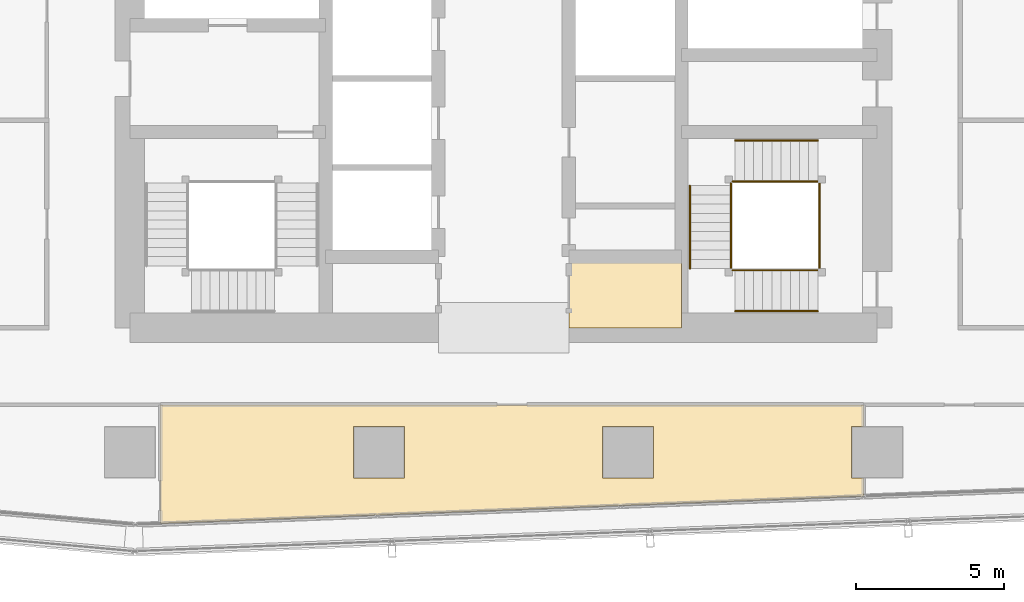
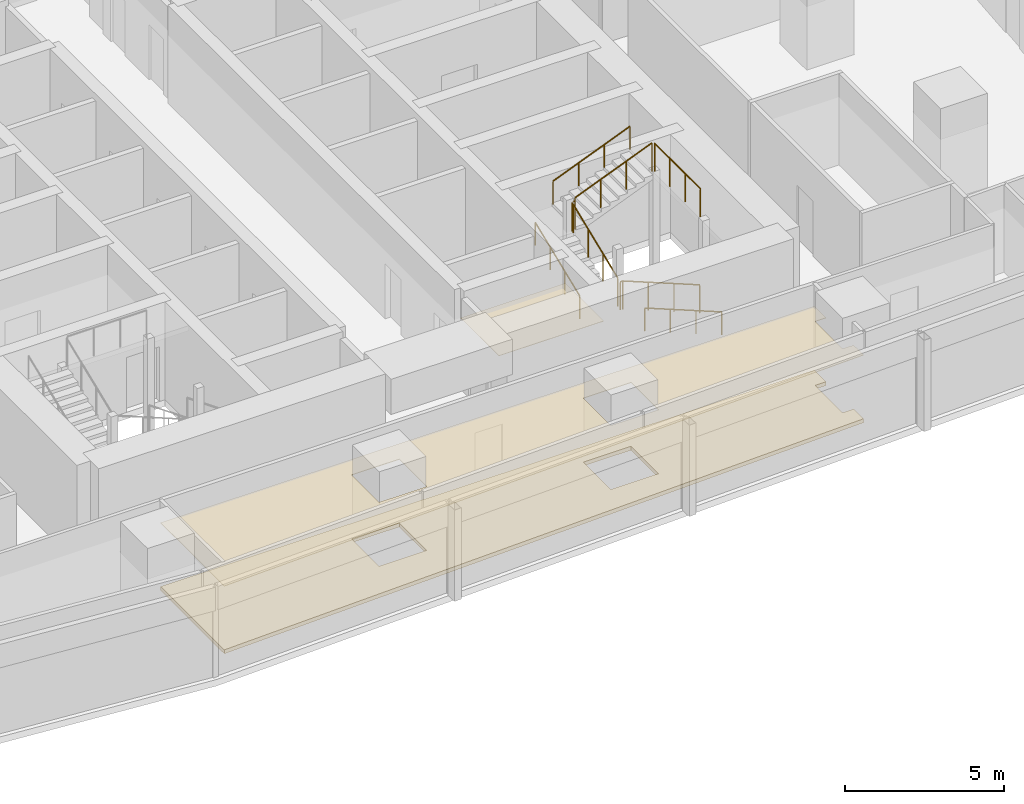
# One storey, part 37 of 40: 10 railings, 3 coverings.
"""IFC4 building model written with IfcOpenShell, lengths in metres."""

from ifc_helpers import new_model, si_unit, direction, frame, origin, origin_2d, place, context, subcontext, project, spatial, polyline, circle, outline, extrude, material, layer, layer_set, type_object, element, save


model = new_model("IFC4")

# Units and contexts
model_context = context("Model", 3, precision=1e-05, world=origin(), true_north=direction((0.0, 1.0)))
body_context = subcontext(model_context, "Body", "Model", "MODEL_VIEW")
ifc_project = project(units=[si_unit("LENGTHUNIT", "METRE"), si_unit("AREAUNIT", "SQUARE_METRE"), si_unit("VOLUMEUNIT", "CUBIC_METRE"), si_unit("PLANEANGLEUNIT", "RADIAN"), si_unit("MASSUNIT", "GRAM", prefix="KILO")], contexts=[model_context])

# Site, building, storey
site_placement = place(None, origin())
site = spatial("IfcSite", under=ifc_project, at=site_placement, CompositionType="ELEMENT")
building_placement = place(site_placement, origin())
building = spatial("IfcBuilding", under=site, at=building_placement, Name="Rekha Terrace Tower", CompositionType="ELEMENT")
storey_placement = place(building_placement, frame((0.0, 0.0, 106.550048828125)))
storey = spatial("IfcBuildingStorey", under=building, at=storey_placement, Name="L26", CompositionType="ELEMENT", Elevation=106.550048828125)

# Coverings
ifc_material_1 = material(Name="Mineral fibre tile in exposed grid", Category="finish")
ifc_layer_1 = layer(ifc_material_1, 0.02001953125)
ifc_layer_set_1 = layer_set([ifc_layer_1], Name="Mineral fibre tile in exposed grid")
covering_type_1 = type_object("IfcCoveringType", Name="CL1 600x1200 office grid ceiling", PredefinedType="CEILING", material=ifc_layer_set_1)
covering_1_placement = place(storey_placement, frame((0.0, 0.0, 2.579833984375)))
element("IfcCovering", 1, at=covering_1_placement, inside=storey, type_object=covering_type_1, Name="Ceiling L26-O3", PredefinedType="CEILING", context=body_context, shape_type="SweptSolid", body=[
    extrude(outline(polyline([(49.93603515625, 18.39990234375), (26.23388671875, 18.39990234375), (26.23388671875, 14.39697265625), (49.93603515625, 15.319091796875), (49.93603515625, 15.93505859375), (49.534912109375, 15.93505859375), (49.534912109375, 17.6650390625), (49.93603515625, 17.6650390625), (49.93603515625, 18.39990234375)]), holes=[polyline([(42.864990234375, 17.6650390625), (42.864990234375, 15.93505859375), (41.135009765625, 15.93505859375), (41.135009765625, 17.6650390625), (42.864990234375, 17.6650390625)]), polyline([(34.465087890625, 15.93505859375), (32.735107421875, 15.93505859375), (32.735107421875, 17.6650390625), (34.465087890625, 17.6650390625), (34.465087890625, 15.93505859375)])]), origin(), (0.0, 0.0, 1.0), 0.02001953125),
])
ifc_material_2 = material(Name="Fibre cement board", Category="finish")
ifc_layer_2 = layer(ifc_material_2, 0.014892578125)
ifc_layer_set_2 = layer_set([ifc_layer_2], Name="Fibre cement board")
covering_type_2 = type_object("IfcCoveringType", Name="CL2 moisture-resistant board ceiling", PredefinedType="CEILING", material=ifc_layer_set_2)
covering_2_placement = place(storey_placement, frame((0.0, 0.0, 2.5849609375)))
element("IfcCovering", 2, at=covering_2_placement, inside=storey, type_object=covering_type_2, Name="Ceiling L26-WCA", PredefinedType="CEILING", context=body_context, shape_type="SweptSolid", body=[
    extrude(outline(polyline([(43.800048828125, 23.39990234375), (40.0, 23.39990234375), (40.0, 21.0), (43.800048828125, 21.0), (43.800048828125, 23.39990234375)])), origin(), (0.0, 0.0, 1.0), 0.014892578125),
])

# Railings
ifc_material_3 = material(Name="Stainless steel balustrade", Category="steel")
railing_type_1 = type_object("IfcRailingType", Name="GR1 1100 stair guard", PredefinedType="GUARDRAIL", material=ifc_material_3)
railing_1_placement = place(storey_placement, frame((48.39990234375, 22.93994140625, 0.125)))
element("IfcRailing", 3, at=railing_1_placement, inside=storey, type_object=railing_type_1, Name="Guard ST3 L26 flight 1", PredefinedType="GUARDRAIL", context=body_context, shape_type="SweptSolid", body=[
    extrude(circle(Radius=0.02392578125, at=origin_2d()), frame((0.0, 0.0, 1.076171875), z_axis=(-0.927431937212, 0.0, 0.373991980981), x_axis=(0.0, -1.0, 0.0)), (0.0, 0.0, 1.0), 3.008056640625),
    extrude(circle(Radius=0.02099609375, at=origin_2d()), origin(), (0.0, 0.0, 1.0), 1.052001953125),
    extrude(circle(Radius=0.02099609375, at=origin_2d()), frame((-0.929931640625, 0.0, 0.375)), (0.0, 0.0, 1.0), 1.052001953125),
    extrude(circle(Radius=0.02099609375, at=origin_2d()), frame((-1.85986328125, 0.0, 0.75)), (0.0, 0.0, 1.0), 1.052001953125),
    extrude(circle(Radius=0.02099609375, at=origin_2d()), frame((-2.789794921875, 0.0, 1.125)), (0.0, 0.0, 1.0), 1.052001953125),
])
railing_2_placement = place(storey_placement, frame((45.465087890625, 23.0, 1.375)))
element("IfcRailing", 4, at=railing_2_placement, inside=storey, type_object=railing_type_1, Name="Guard ST3 L26 flight 2", PredefinedType="GUARDRAIL", context=body_context, shape_type="SweptSolid", body=[
    extrude(circle(Radius=0.02392578125, at=origin_2d()), frame((0.0, 0.0, 1.076171875), z_axis=(0.0, 0.927443287984, 0.373963831907), x_axis=(-1.0, 0.0, 0.0)), (0.0, 0.0, 1.0), 3.00830078125),
    extrude(circle(Radius=0.02099609375, at=origin_2d()), origin(), (0.0, 0.0, 1.0), 1.052001953125),
    extrude(circle(Radius=0.02099609375, at=origin_2d()), frame((0.0, 0.929931640625, 0.375)), (0.0, 0.0, 1.0), 1.052001953125),
    extrude(circle(Radius=0.02099609375, at=origin_2d()), frame((0.0, 1.860107421875, 0.75)), (0.0, 0.0, 1.0), 1.052001953125),
    extrude(circle(Radius=0.02099609375, at=origin_2d()), frame((0.0, 2.7900390625, 1.125)), (0.0, 0.0, 1.0), 1.052001953125),
])
railing_3_placement = place(storey_placement, frame((45.610107421875, 25.93505859375, 2.625)))
element("IfcRailing", 5, at=railing_3_placement, inside=storey, type_object=railing_type_1, Name="Guard ST3 L26 flight 3", PredefinedType="GUARDRAIL", context=body_context, shape_type="SweptSolid", body=[
    extrude(circle(Radius=0.02392578125, at=origin_2d()), frame((0.0, 0.0, 1.076171875), z_axis=(0.927431937212, 0.0, 0.373991980981), x_axis=(0.0, 1.0, 0.0)), (0.0, 0.0, 1.0), 3.008056640625),
    extrude(circle(Radius=0.02099609375, at=origin_2d()), origin(), (0.0, 0.0, 1.0), 1.052001953125),
    extrude(circle(Radius=0.02099609375, at=origin_2d()), frame((0.929931640625, 0.0, 0.375)), (0.0, 0.0, 1.0), 1.052001953125),
    extrude(circle(Radius=0.02099609375, at=origin_2d()), frame((1.85986328125, 0.0, 0.75)), (0.0, 0.0, 1.0), 1.052001953125),
    extrude(circle(Radius=0.02099609375, at=origin_2d()), frame((2.789794921875, 0.0, 1.125)), (0.0, 0.0, 1.0), 1.052001953125),
])
railing_4_placement = place(storey_placement, frame((45.610107421875, 22.93994140625, 1.25)))
element("IfcRailing", 6, at=railing_4_placement, inside=storey, type_object=railing_type_1, Name="Guard ST3 L26 landing 1", PredefinedType="GUARDRAIL", context=body_context, shape_type="SweptSolid", body=[
    extrude(circle(Radius=0.02392578125, at=origin_2d()), frame((0.0, 0.0, 1.076171875), z_axis=(-1.0, 0.0, 0.0), x_axis=(0.0, -1.0, 0.0)), (0.0, 0.0, 1.0), 0.085205078125),
    extrude(circle(Radius=0.02099609375, at=origin_2d()), origin(), (0.0, 0.0, 1.0), 1.052001953125),
    extrude(circle(Radius=0.02099609375, at=origin_2d()), frame((-0.085205078125, 0.0, 0.0)), (0.0, 0.0, 1.0), 1.052001953125),
])
railing_5_placement = place(storey_placement, frame((45.465087890625, 25.7900390625, 2.5)))
element("IfcRailing", 7, at=railing_5_placement, inside=storey, type_object=railing_type_1, Name="Guard ST3 L26 landing 2", PredefinedType="GUARDRAIL", context=body_context, shape_type="SweptSolid", body=[
    extrude(circle(Radius=0.02392578125, at=origin_2d()), frame((0.0, 0.0, 1.076171875), z_axis=(0.0, 1.0, 0.0), x_axis=(-1.0, 0.0, 0.0)), (0.0, 0.0, 1.0), 0.0849609375),
    extrude(circle(Radius=0.02099609375, at=origin_2d()), origin(), (0.0, 0.0, 1.0), 1.052001953125),
    extrude(circle(Radius=0.02099609375, at=origin_2d()), frame((0.0, 0.0849609375, 0.0)), (0.0, 0.0, 1.0), 1.052001953125),
])
railing_6_placement = place(storey_placement, frame((45.610107421875, 25.93505859375, 2.5)))
element("IfcRailing", 8, at=railing_6_placement, inside=storey, type_object=railing_type_1, Name="Guard ST3 L26 landing 3", PredefinedType="GUARDRAIL", context=body_context, shape_type="SweptSolid", body=[
    extrude(circle(Radius=0.02392578125, at=origin_2d()), frame((0.0, 0.0, 1.076171875), z_axis=(-1.0, 0.0, 0.0), x_axis=(0.0, -1.0, 0.0)), (0.0, 0.0, 1.0), 0.085205078125),
    extrude(circle(Radius=0.02099609375, at=origin_2d()), origin(), (0.0, 0.0, 1.0), 1.052001953125),
    extrude(circle(Radius=0.02099609375, at=origin_2d()), frame((-0.085205078125, 0.0, 0.0)), (0.0, 0.0, 1.0), 1.052001953125),
])
railing_7_placement = place(storey_placement, frame((48.4599609375, 23.0, 3.75)))
element("IfcRailing", 9, at=railing_7_placement, inside=storey, type_object=railing_type_1, Name="Guard ST3 L26 landing 4", PredefinedType="GUARDRAIL", context=body_context, shape_type="SweptSolid", body=[
    extrude(circle(Radius=0.02392578125, at=origin_2d()), frame((0.0, 0.0, 1.076171875), z_axis=(0.0, 1.0, 0.0), x_axis=(-1.0, 0.0, 0.0)), (0.0, 0.0, 1.0), 2.875),
    extrude(circle(Radius=0.02099609375, at=origin_2d()), origin(), (0.0, 0.0, 1.0), 1.052001953125),
    extrude(circle(Radius=0.02099609375, at=origin_2d()), frame((0.0, 0.958251953125, 0.0)), (0.0, 0.0, 1.0), 1.052001953125),
    extrude(circle(Radius=0.02099609375, at=origin_2d()), frame((0.0, 1.916748046875, 0.0)), (0.0, 0.0, 1.0), 1.052001953125),
    extrude(circle(Radius=0.02099609375, at=origin_2d()), frame((0.0, 2.875, 0.0)), (0.0, 0.0, 1.0), 1.052001953125),
])
ifc_material_4 = material(Name="Stainless steel tube", Category="steel")
railing_type_2 = type_object("IfcRailingType", Name="HR1 900 stair handrail", PredefinedType="HANDRAIL", material=ifc_material_4)
railing_8_placement = place(storey_placement, frame((48.39990234375, 21.56005859375, 0.125)))
element("IfcRailing", 10, at=railing_8_placement, inside=storey, type_object=railing_type_2, Name="Handrail ST3 L26 flight 1", PredefinedType="HANDRAIL", context=body_context, shape_type="SweptSolid", body=[
    extrude(circle(Radius=0.02392578125, at=origin_2d()), frame((0.0, 0.0, 0.8759765625), z_axis=(-0.927431937212, 0.0, 0.373991980981), x_axis=(0.0, -1.0, 0.0)), (0.0, 0.0, 1.0), 3.008056640625),
    extrude(circle(Radius=0.02099609375, at=origin_2d()), origin(), (0.0, 0.0, 1.0), 0.851806640625),
    extrude(circle(Radius=0.02099609375, at=origin_2d()), frame((-0.929931640625, 0.0, 0.375)), (0.0, 0.0, 1.0), 0.851806640625),
    extrude(circle(Radius=0.02099609375, at=origin_2d()), frame((-1.85986328125, 0.0, 0.75)), (0.0, 0.0, 1.0), 0.851806640625),
    extrude(circle(Radius=0.02099609375, at=origin_2d()), frame((-2.789794921875, 0.0, 1.125)), (0.0, 0.0, 1.0), 0.851806640625),
])
railing_9_placement = place(storey_placement, frame((44.0849609375, 23.0, 1.375)))
element("IfcRailing", 11, at=railing_9_placement, inside=storey, type_object=railing_type_2, Name="Handrail ST3 L26 flight 2", PredefinedType="HANDRAIL", context=body_context, shape_type="SweptSolid", body=[
    extrude(circle(Radius=0.02392578125, at=origin_2d()), frame((0.0, 0.0, 0.8759765625), z_axis=(0.0, 0.927443287984, 0.373963831907), x_axis=(-1.0, 0.0, 0.0)), (0.0, 0.0, 1.0), 3.00830078125),
    extrude(circle(Radius=0.02099609375, at=origin_2d()), origin(), (0.0, 0.0, 1.0), 0.851806640625),
    extrude(circle(Radius=0.02099609375, at=origin_2d()), frame((0.0, 0.929931640625, 0.375)), (0.0, 0.0, 1.0), 0.851806640625),
    extrude(circle(Radius=0.02099609375, at=origin_2d()), frame((0.0, 1.860107421875, 0.75)), (0.0, 0.0, 1.0), 0.851806640625),
    extrude(circle(Radius=0.02099609375, at=origin_2d()), frame((0.0, 2.7900390625, 1.125)), (0.0, 0.0, 1.0), 0.851806640625),
])
railing_10_placement = place(storey_placement, frame((45.610107421875, 27.31494140625, 2.625)))
element("IfcRailing", 12, at=railing_10_placement, inside=storey, type_object=railing_type_2, Name="Handrail ST3 L26 flight 3", PredefinedType="HANDRAIL", context=body_context, shape_type="SweptSolid", body=[
    extrude(circle(Radius=0.02392578125, at=origin_2d()), frame((0.0, 0.0, 0.8759765625), z_axis=(0.927431937212, 0.0, 0.373991980981), x_axis=(0.0, 1.0, 0.0)), (0.0, 0.0, 1.0), 3.008056640625),
    extrude(circle(Radius=0.02099609375, at=origin_2d()), origin(), (0.0, 0.0, 1.0), 0.851806640625),
    extrude(circle(Radius=0.02099609375, at=origin_2d()), frame((0.929931640625, 0.0, 0.375)), (0.0, 0.0, 1.0), 0.851806640625),
    extrude(circle(Radius=0.02099609375, at=origin_2d()), frame((1.85986328125, 0.0, 0.75)), (0.0, 0.0, 1.0), 0.851806640625),
    extrude(circle(Radius=0.02099609375, at=origin_2d()), frame((2.789794921875, 0.0, 1.125)), (0.0, 0.0, 1.0), 0.851806640625),
])

# Covering
ifc_material_5 = material(Name="Calcium sulphate panels on steel pedestals", Category="steel")
ifc_layer_3 = layer(ifc_material_5, 0.14990234375)
ifc_layer_set_3 = layer_set([ifc_layer_3], Name="Calcium sulphate panels on steel pedestals")
covering_type_3 = type_object("IfcCoveringType", Name="RF1 150 raised access floor", PredefinedType="FLOORING", material=ifc_layer_set_3)
covering_3_placement = place(storey_placement, origin())
element("IfcCovering", 13, at=covering_3_placement, inside=storey, type_object=covering_type_3, Name="Raised floor L26-O3", PredefinedType="FLOORING", context=body_context, shape_type="SweptSolid", body=[
    extrude(outline(polyline([(49.93603515625, 18.39990234375), (26.23388671875, 18.39990234375), (26.23388671875, 14.39697265625), (49.93603515625, 15.319091796875), (49.93603515625, 15.93505859375), (49.534912109375, 15.93505859375), (49.534912109375, 17.6650390625), (49.93603515625, 17.6650390625), (49.93603515625, 18.39990234375)]), holes=[polyline([(42.864990234375, 17.6650390625), (42.864990234375, 15.93505859375), (41.135009765625, 15.93505859375), (41.135009765625, 17.6650390625), (42.864990234375, 17.6650390625)]), polyline([(34.465087890625, 15.93505859375), (32.735107421875, 15.93505859375), (32.735107421875, 17.6650390625), (34.465087890625, 17.6650390625), (34.465087890625, 15.93505859375)])]), origin(), (0.0, 0.0, 1.0), 0.14990234375),
])

save(model, "model.ifc")
